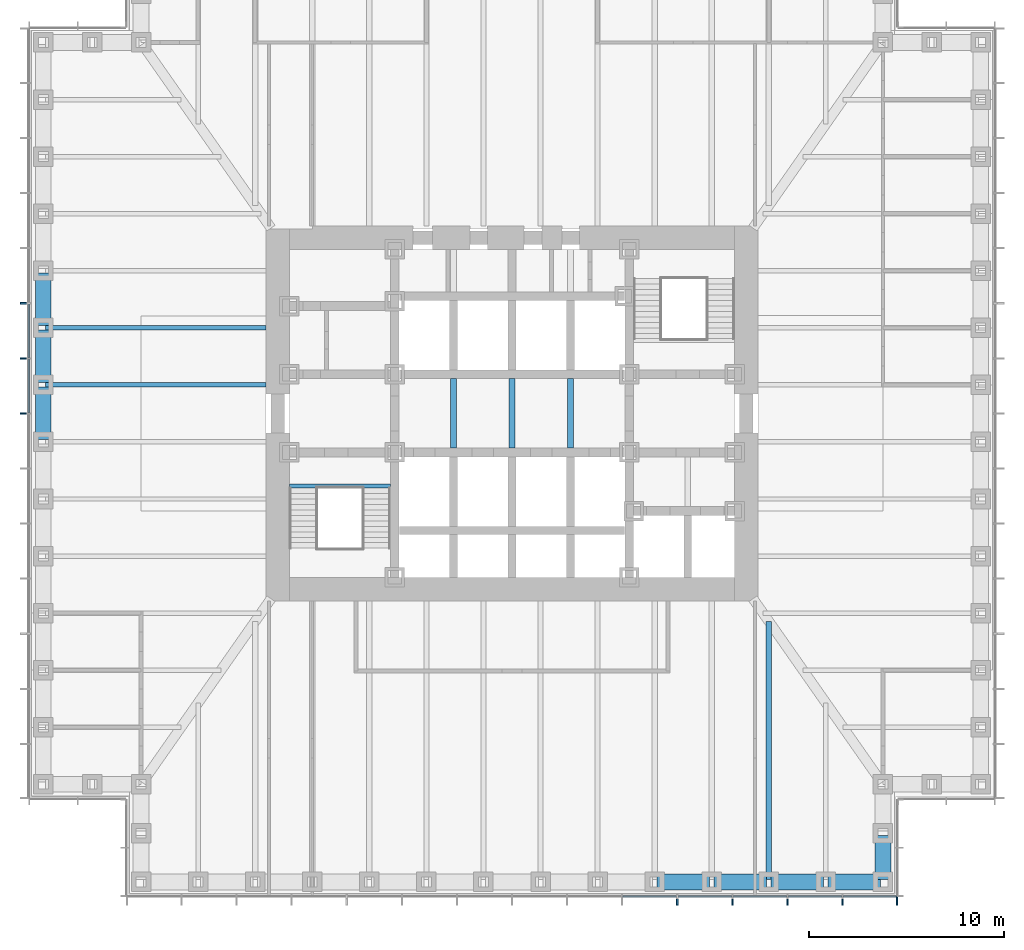
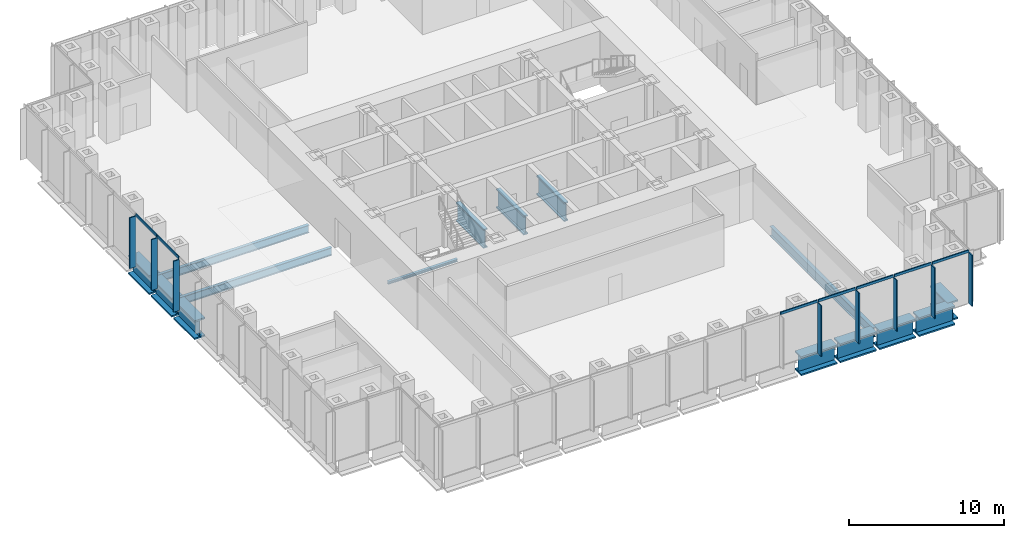
# One storey, part 3 of 16: 15 beams, 15 members, 2 elements without a shape of their own.
"""IFC4 building model written with IfcOpenShell, lengths in metres."""

from ifc_helpers import new_model, si_unit, direction, frame, origin, origin_2d, place, context, subcontext, project, spatial, rectangle, i_section, extrude, material, material_profile, profile_set, type_object, element, aggregate, save


model = new_model("IFC4")

# Units and contexts
model_context = context("Model", 3, precision=1e-05, world=origin(), true_north=direction((0.0, 1.0)))
body_context = subcontext(model_context, "Body", "Model", "MODEL_VIEW")
ifc_project = project(units=[si_unit("LENGTHUNIT", "METRE"), si_unit("AREAUNIT", "SQUARE_METRE"), si_unit("VOLUMEUNIT", "CUBIC_METRE"), si_unit("PLANEANGLEUNIT", "RADIAN"), si_unit("MASSUNIT", "GRAM", prefix="KILO")], contexts=[model_context])

# Site, building, storey
site_placement = place(None, origin())
site = spatial("IfcSite", under=ifc_project, at=site_placement, CompositionType="ELEMENT")
building_placement = place(site_placement, origin())
building = spatial("IfcBuilding", under=site, at=building_placement, Name="Daluyong Arena Tower", CompositionType="ELEMENT")
storey_placement = place(building_placement, frame((0.0, 0.0, 51.699951171875)))
storey = spatial("IfcBuildingStorey", under=building, at=storey_placement, Name="L10", CompositionType="ELEMENT", Elevation=51.699951171875)

# Curtain wall, members
ifc_material_1 = material(Name="Bronze anodised aluminium and glass", Category="aluminium")
curtain_wall_type = type_object("IfcCurtainWallType", Name="Curtain wall CW1", PredefinedType="USERDEFINED", material=ifc_material_1)
curtain_wall_1_placement = place(storey_placement, origin())
curtain_wall_1 = element("IfcCurtainWall", 1, at=curtain_wall_1_placement, inside=storey, type_object=curtain_wall_type, Name="curtain wall L10 S", ObjectType="UNITISED CURTAIN WALL", PredefinedType="USERDEFINED")
ifc_material_2 = material(Name="Bronze anodised aluminium fin", Category="aluminium")
ifc_material_profile_1 = material_profile(ifc_material_2, rectangle(XDim=0.449951171875, YDim=0.080078125, at=origin_2d()))
ifc_profile_set_1 = profile_set([ifc_material_profile_1], Name="Bronze anodised aluminium fin")
member_type_1 = type_object("IfcMemberType", Name="CW1 bronze fin 450x80", PredefinedType="MULLION", material=ifc_profile_set_1)
member_1_placement = place(storey_placement, frame((64.46435546875, 55.02490234375, 0.0), z_axis=(0.0, 0.0, 1.0), x_axis=(0.0, 1.0, 0.0)))
member_1 = element("IfcMember", 2, at=member_1_placement, type_object=member_type_1, Name="curtain wall L10 S fin 11", PredefinedType="MULLION", context=body_context, shape_type="SweptSolid", body=[
    extrude(rectangle(XDim=0.449951171875, YDim=0.080078125, at=origin_2d()), origin(), (0.0, 0.0, 1.0), 4.0),
])
member_2_placement = place(storey_placement, frame((67.28564453125, 55.02490234375, 0.0), z_axis=(0.0, 0.0, 1.0), x_axis=(0.0, 1.0, 0.0)))
member_2 = element("IfcMember", 3, at=member_2_placement, type_object=member_type_1, Name="curtain wall L10 S fin 12", PredefinedType="MULLION", context=body_context, shape_type="SweptSolid", body=[
    extrude(rectangle(XDim=0.449951171875, YDim=0.080078125, at=origin_2d()), origin(), (0.0, 0.0, 1.0), 4.0),
])
member_3_placement = place(storey_placement, frame((70.107177734375, 55.02490234375, 0.0), z_axis=(0.0, 0.0, 1.0), x_axis=(0.0, 1.0, 0.0)))
member_3 = element("IfcMember", 4, at=member_3_placement, type_object=member_type_1, Name="curtain wall L10 S fin 13", PredefinedType="MULLION", context=body_context, shape_type="SweptSolid", body=[
    extrude(rectangle(XDim=0.449951171875, YDim=0.080078125, at=origin_2d()), origin(), (0.0, 0.0, 1.0), 4.0),
])
member_4_placement = place(storey_placement, frame((72.928466796875, 55.02490234375, 0.0), z_axis=(0.0, 0.0, 1.0), x_axis=(0.0, 1.0, 0.0)))
member_4 = element("IfcMember", 5, at=member_4_placement, type_object=member_type_1, Name="curtain wall L10 S fin 14", PredefinedType="MULLION", context=body_context, shape_type="SweptSolid", body=[
    extrude(rectangle(XDim=0.449951171875, YDim=0.080078125, at=origin_2d()), origin(), (0.0, 0.0, 1.0), 4.0),
])
member_5_placement = place(storey_placement, frame((75.7099609375, 55.02490234375, 0.0), z_axis=(0.0, 0.0, 1.0), x_axis=(0.0, 1.0, 0.0)))
member_5 = element("IfcMember", 6, at=member_5_placement, type_object=member_type_1, Name="curtain wall L10 S fin 15", PredefinedType="MULLION", context=body_context, shape_type="SweptSolid", body=[
    extrude(rectangle(XDim=0.449951171875, YDim=0.080078125, at=origin_2d()), origin(), (0.0, 0.0, 1.0), 4.0),
])

curtain_wall_2_placement = place(storey_placement, origin())
curtain_wall_2 = element("IfcCurtainWall", 7, at=curtain_wall_2_placement, inside=storey, type_object=curtain_wall_type, Name="curtain wall L10 W", ObjectType="UNITISED CURTAIN WALL", PredefinedType="USERDEFINED")
member_6_placement = place(storey_placement, frame((31.02490234375, 85.642822265625, 0.0), z_axis=(0.0, 0.0, 1.0), x_axis=(1.0, 0.0, 0.0)))
member_6 = element("IfcMember", 8, at=member_6_placement, type_object=member_type_1, Name="curtain wall L10 W fin 6", PredefinedType="MULLION", context=body_context, shape_type="SweptSolid", body=[
    extrude(rectangle(XDim=0.449951171875, YDim=0.080078125, at=origin_2d()), origin(), (0.0, 0.0, 1.0), 4.0),
])
member_7_placement = place(storey_placement, frame((31.02490234375, 82.821533203125, 0.0), z_axis=(0.0, 0.0, 1.0), x_axis=(1.0, 0.0, 0.0)))
member_7 = element("IfcMember", 9, at=member_7_placement, type_object=member_type_1, Name="curtain wall L10 W fin 7", PredefinedType="MULLION", context=body_context, shape_type="SweptSolid", body=[
    extrude(rectangle(XDim=0.449951171875, YDim=0.080078125, at=origin_2d()), origin(), (0.0, 0.0, 1.0), 4.0),
])
member_8_placement = place(storey_placement, frame((31.02490234375, 80.0, 0.0), z_axis=(0.0, 0.0, 1.0), x_axis=(1.0, 0.0, 0.0)))
member_8 = element("IfcMember", 10, at=member_8_placement, type_object=member_type_1, Name="curtain wall L10 W fin 8", PredefinedType="MULLION", context=body_context, shape_type="SweptSolid", body=[
    extrude(rectangle(XDim=0.449951171875, YDim=0.080078125, at=origin_2d()), origin(), (0.0, 0.0, 1.0), 4.0),
])

# Member
ifc_material_3 = material(Name="Bronze anodised aluminium", Category="aluminium")
ifc_material_profile_2 = material_profile(ifc_material_3, rectangle(XDim=0.080078125, YDim=0.199951171875, at=origin_2d()))
ifc_profile_set_2 = profile_set([ifc_material_profile_2], Name="Bronze anodised aluminium")
member_type_2 = type_object("IfcMemberType", Name="CW1 stack transom 200x80", PredefinedType="USERDEFINED", material=ifc_profile_set_2)
member_9_placement = place(storey_placement, frame((61.682861328125, 55.25, 4.10009765625), z_axis=(1.0, 0.0, 0.0), x_axis=(0.0, 1.0, 0.0)))
member_9 = element("IfcMember", 11, at=member_9_placement, type_object=member_type_2, Name="curtain wall L10 S transom 10", ObjectType="TRANSOM", PredefinedType="USERDEFINED", context=body_context, shape_type="SweptSolid", body=[
    extrude(rectangle(XDim=0.080078125, YDim=0.199951171875, at=origin_2d()), origin(), (0.0, 0.0, 1.0), 2.741455078125),
])

member_10_placement = place(storey_placement, frame((64.50439453125, 55.25, 4.10009765625), z_axis=(1.0, 0.0, 0.0), x_axis=(0.0, 1.0, 0.0)))
member_10 = element("IfcMember", 12, at=member_10_placement, type_object=member_type_2, Name="curtain wall L10 S transom 11", ObjectType="TRANSOM", PredefinedType="USERDEFINED", context=body_context, shape_type="SweptSolid", body=[
    extrude(rectangle(XDim=0.080078125, YDim=0.199951171875, at=origin_2d()), origin(), (0.0, 0.0, 1.0), 2.7412109375),
])

member_11_placement = place(storey_placement, frame((67.32568359375, 55.25, 4.10009765625), z_axis=(1.0, 0.0, 0.0), x_axis=(0.0, 1.0, 0.0)))
member_11 = element("IfcMember", 13, at=member_11_placement, type_object=member_type_2, Name="curtain wall L10 S transom 12", ObjectType="TRANSOM", PredefinedType="USERDEFINED", context=body_context, shape_type="SweptSolid", body=[
    extrude(rectangle(XDim=0.080078125, YDim=0.199951171875, at=origin_2d()), origin(), (0.0, 0.0, 1.0), 2.741455078125),
])

member_12_placement = place(storey_placement, frame((70.147216796875, 55.25, 4.10009765625), z_axis=(1.0, 0.0, 0.0), x_axis=(0.0, 1.0, 0.0)))
member_12 = element("IfcMember", 14, at=member_12_placement, type_object=member_type_2, Name="curtain wall L10 S transom 13", ObjectType="TRANSOM", PredefinedType="USERDEFINED", context=body_context, shape_type="SweptSolid", body=[
    extrude(rectangle(XDim=0.080078125, YDim=0.199951171875, at=origin_2d()), origin(), (0.0, 0.0, 1.0), 2.741455078125),
])

member_13_placement = place(storey_placement, frame((72.968505859375, 55.25, 4.10009765625), z_axis=(1.0, 0.0, 0.0), x_axis=(0.0, 1.0, 0.0)))
member_13 = element("IfcMember", 15, at=member_13_placement, type_object=member_type_2, Name="curtain wall L10 S transom 14", ObjectType="TRANSOM", PredefinedType="USERDEFINED", context=body_context, shape_type="SweptSolid", body=[
    extrude(rectangle(XDim=0.080078125, YDim=0.199951171875, at=origin_2d()), origin(), (0.0, 0.0, 1.0), 2.701416015625),
])

aggregate(curtain_wall_1, [member_1, member_2, member_3, member_4, member_5, member_9, member_10, member_11, member_12, member_13])

member_14_placement = place(storey_placement, frame((31.25, 85.602783203125, 4.10009765625), z_axis=(0.0, -1.0, 0.0), x_axis=(1.0, 0.0, 0.0)))
member_14 = element("IfcMember", 16, at=member_14_placement, type_object=member_type_2, Name="curtain wall L10 W transom 6", ObjectType="TRANSOM", PredefinedType="USERDEFINED", context=body_context, shape_type="SweptSolid", body=[
    extrude(rectangle(XDim=0.080078125, YDim=0.199951171875, at=origin_2d()), origin(), (0.0, 0.0, 1.0), 2.741455078125),
])

member_15_placement = place(storey_placement, frame((31.25, 82.781494140625, 4.10009765625), z_axis=(0.0, -1.0, 0.0), x_axis=(1.0, 0.0, 0.0)))
member_15 = element("IfcMember", 17, at=member_15_placement, type_object=member_type_2, Name="curtain wall L10 W transom 7", ObjectType="TRANSOM", PredefinedType="USERDEFINED", context=body_context, shape_type="SweptSolid", body=[
    extrude(rectangle(XDim=0.080078125, YDim=0.199951171875, at=origin_2d()), origin(), (0.0, 0.0, 1.0), 2.741455078125),
])

aggregate(curtain_wall_2, [member_6, member_7, member_8, member_14, member_15])

# Beams
ifc_material_4 = material(Name="Steel ASTM A992 Grade 50", Category="steel")
ifc_material_profile_3 = material_profile(ifc_material_4, i_section(OverallWidth=0.22900390625, OverallDepth=0.612060546875, WebThickness=0.011962890625, FlangeThickness=0.01953125, at=origin_2d()))
ifc_profile_set_3 = profile_set([ifc_material_profile_3], Name="Steel ASTM A992 Grade 50")
beam_type_1 = type_object("IfcBeamType", Name="Floor beam W24X84", PredefinedType="BEAM", material=ifc_profile_set_3)
for number, where, z_axis, x_axis, name in (
    (18, (32.114990234375, 84.384521484375, -0.466064453125), (1.0, 0.0, 0.0), (0.0, 1.0, 0.0), "floor beam FB3"),
    (19, (32.114990234375, 81.46142578125, -0.466064453125), (1.0, 0.0, 0.0), (0.0, 1.0, 0.0), "floor beam FB3"),
):
    element("IfcBeam", number, at=place(storey_placement, frame(where, z_axis=z_axis, x_axis=x_axis)), inside=storey, type_object=beam_type_1, Name=name, PredefinedType="BEAM", context=body_context, shape_type="SweptSolid", body=[
        extrude(i_section(OverallWidth=0.22900390625, OverallDepth=0.612060546875, WebThickness=0.011962890625, FlangeThickness=0.01953125, at=origin_2d()), origin(), (0.0, 0.0, 1.0), 11.284912109375),
    ])
ifc_material_5 = material(Name="Steel ASTM A992 Grade 50", Category="steel")
ifc_material_profile_4 = material_profile(ifc_material_5, i_section(OverallWidth=0.2666015625, OverallDepth=0.761962890625, WebThickness=0.014404296875, FlangeThickness=0.021484375, at=origin_2d()))
ifc_profile_set_4 = profile_set([ifc_material_profile_4], Name="Steel ASTM A992 Grade 50")
beam_type_2 = type_object("IfcBeamType", Name="Floor beam W30X116", PredefinedType="BEAM", material=ifc_profile_set_4)
beam_1_placement = place(storey_placement, frame((69.15380859375, 56.114990234375, -0.541015625), z_axis=(0.0, 1.0, 0.0), x_axis=(-1.0, 0.0, 0.0)))
element("IfcBeam", 20, at=beam_1_placement, inside=storey, type_object=beam_type_2, Name="floor beam FB4", PredefinedType="BEAM", context=body_context, shape_type="SweptSolid", body=[
    extrude(i_section(OverallWidth=0.2666015625, OverallDepth=0.761962890625, WebThickness=0.014404296875, FlangeThickness=0.021484375, at=origin_2d()), origin(), (0.0, 0.0, 1.0), 13.236572265625),
])
ifc_material_6 = material(Name="Steel ASTM A572 Grade 50", Category="steel")
ifc_material_profile_5 = material_profile(ifc_material_6, i_section(OverallWidth=0.300048828125, OverallDepth=1.5, WebThickness=0.04, FlangeThickness=0.1, at=origin_2d()))
ifc_profile_set_5 = profile_set([ifc_material_profile_5], Name="Steel ASTM A572 Grade 50")
beam_type_3 = type_object("IfcBeamType", Name="Lift divider beam PG1500X300", PredefinedType="BEAM", material=ifc_profile_set_5)
for number, where, z_axis, x_axis, name in (
    (21, (53.0, 78.22509765625, -0.909912109375), (0.0, 1.0, 0.0), (-1.0, 0.0, 0.0), "lift divider beam DB2"),
    (22, (56.0, 78.22509765625, -0.909912109375), (0.0, 1.0, 0.0), (-1.0, 0.0, 0.0), "lift divider beam DB2"),
    (23, (59.0, 78.22509765625, -0.909912109375), (0.0, 1.0, 0.0), (-1.0, 0.0, 0.0), "lift divider beam DB2"),
):
    element("IfcBeam", number, at=place(storey_placement, frame(where, z_axis=z_axis, x_axis=x_axis)), inside=storey, type_object=beam_type_3, Name=name, PredefinedType="BEAM", context=body_context, shape_type="SweptSolid", body=[
        extrude(i_section(OverallWidth=0.300048828125, OverallDepth=1.5, WebThickness=0.04, FlangeThickness=0.1, at=origin_2d()), origin(), (0.0, 0.0, 1.0), 3.5498046875),
    ])
ifc_material_7 = material(Name="Steel ASTM A588 Grade 50", Category="steel")
ifc_material_profile_6 = material_profile(ifc_material_7, i_section(OverallWidth=0.800048828125, OverallDepth=1.5, WebThickness=0.05, FlangeThickness=0.12, at=origin_2d()))
ifc_profile_set_6 = profile_set([ifc_material_profile_6], Name="Steel ASTM A588 Grade 50")
beam_type_4 = type_object("IfcBeamType", Name="Spandrel Z1 PG1500X800", PredefinedType="SPANDREL", material=ifc_profile_set_6)
for number, where, z_axis, x_axis, name in (
    (24, (63.422607421875, 56.0, -0.909912109375), (1.0, 0.0, 0.0), (0.0, 1.0, 0.0), "spandrel z1 SB3"),
    (25, (66.345703125, 56.0, -0.909912109375), (1.0, 0.0, 0.0), (0.0, 1.0, 0.0), "spandrel z1 SB3"),
    (26, (69.268798828125, 56.0, -0.909912109375), (1.0, 0.0, 0.0), (0.0, 1.0, 0.0), "spandrel z1 SB3"),
    (27, (72.19189453125, 56.0, -0.909912109375), (1.0, 0.0, 0.0), (0.0, 1.0, 0.0), "spandrel z1 SB3"),
):
    element("IfcBeam", number, at=place(storey_placement, frame(where, z_axis=z_axis, x_axis=x_axis)), inside=storey, type_object=beam_type_4, Name=name, PredefinedType="SPANDREL", context=body_context, shape_type="SweptSolid", body=[
        extrude(i_section(OverallWidth=0.800048828125, OverallDepth=1.5, WebThickness=0.05, FlangeThickness=0.12, at=origin_2d()), origin(), (0.0, 0.0, 1.0), 2.693115234375),
    ])
beam_2_placement = place(storey_placement, frame((75.0, 56.114990234375, -0.909912109375), z_axis=(0.0, 1.0, 0.0), x_axis=(-1.0, 0.0, 0.0)))
element("IfcBeam", 28, at=beam_2_placement, inside=storey, type_object=beam_type_4, Name="spandrel z1 SB3", PredefinedType="SPANDREL", context=body_context, shape_type="SweptSolid", body=[
    extrude(i_section(OverallWidth=0.800048828125, OverallDepth=1.5, WebThickness=0.05, FlangeThickness=0.12, at=origin_2d()), origin(), (0.0, 0.0, 1.0), 2.27001953125),
])
for number, where, z_axis, x_axis, name in (
    (29, (32.0, 87.192626953125, -0.909912109375), (0.0, -1.0, 0.0), (1.0, 0.0, 0.0), "spandrel z1 SB3"),
    (30, (32.0, 84.26953125, -0.909912109375), (0.0, -1.0, 0.0), (1.0, 0.0, 0.0), "spandrel z1 SB3"),
):
    element("IfcBeam", number, at=place(storey_placement, frame(where, z_axis=z_axis, x_axis=x_axis)), inside=storey, type_object=beam_type_4, Name=name, PredefinedType="SPANDREL", context=body_context, shape_type="SweptSolid", body=[
        extrude(i_section(OverallWidth=0.800048828125, OverallDepth=1.5, WebThickness=0.05, FlangeThickness=0.12, at=origin_2d()), origin(), (0.0, 0.0, 1.0), 2.693115234375),
    ])
beam_3_placement = place(storey_placement, frame((32.0, 81.346435546875, -0.909912109375), z_axis=(0.0, -1.0, 0.0), x_axis=(1.0, 0.0, 0.0)))
element("IfcBeam", 31, at=beam_3_placement, inside=storey, type_object=beam_type_4, Name="spandrel z1 SB3", PredefinedType="SPANDREL", context=body_context, shape_type="SweptSolid", body=[
    extrude(i_section(OverallWidth=0.800048828125, OverallDepth=1.5, WebThickness=0.05, FlangeThickness=0.12, at=origin_2d()), origin(), (0.0, 0.0, 1.0), 2.69287109375),
])
ifc_material_8 = material(Name="Steel ASTM A992 Grade 50", Category="steel")
ifc_material_profile_7 = material_profile(ifc_material_8, i_section(OverallWidth=0.203125, OverallDepth=0.203125, WebThickness=0.00732421875, FlangeThickness=0.010986328125, at=origin_2d()))
ifc_profile_set_7 = profile_set([ifc_material_profile_7], Name="Steel ASTM A992 Grade 50")
beam_type_5 = type_object("IfcBeamType", Name="Stair landing beam W8X31", PredefinedType="BEAM", material=ifc_profile_set_7)
beam_4_placement = place(storey_placement, frame((44.60009765625, 76.276611328125, -0.261474609375), z_axis=(1.0, 0.0, 0.0), x_axis=(0.0, 1.0, 0.0)))
element("IfcBeam", 32, at=beam_4_placement, inside=storey, type_object=beam_type_5, Name="exit stair A landing beam", PredefinedType="BEAM", context=body_context, shape_type="SweptSolid", body=[
    extrude(i_section(OverallWidth=0.203125, OverallDepth=0.203125, WebThickness=0.00732421875, FlangeThickness=0.010986328125, at=origin_2d()), origin(), (0.0, 0.0, 1.0), 5.1748046875),
])

save(model, "model.ifc")
